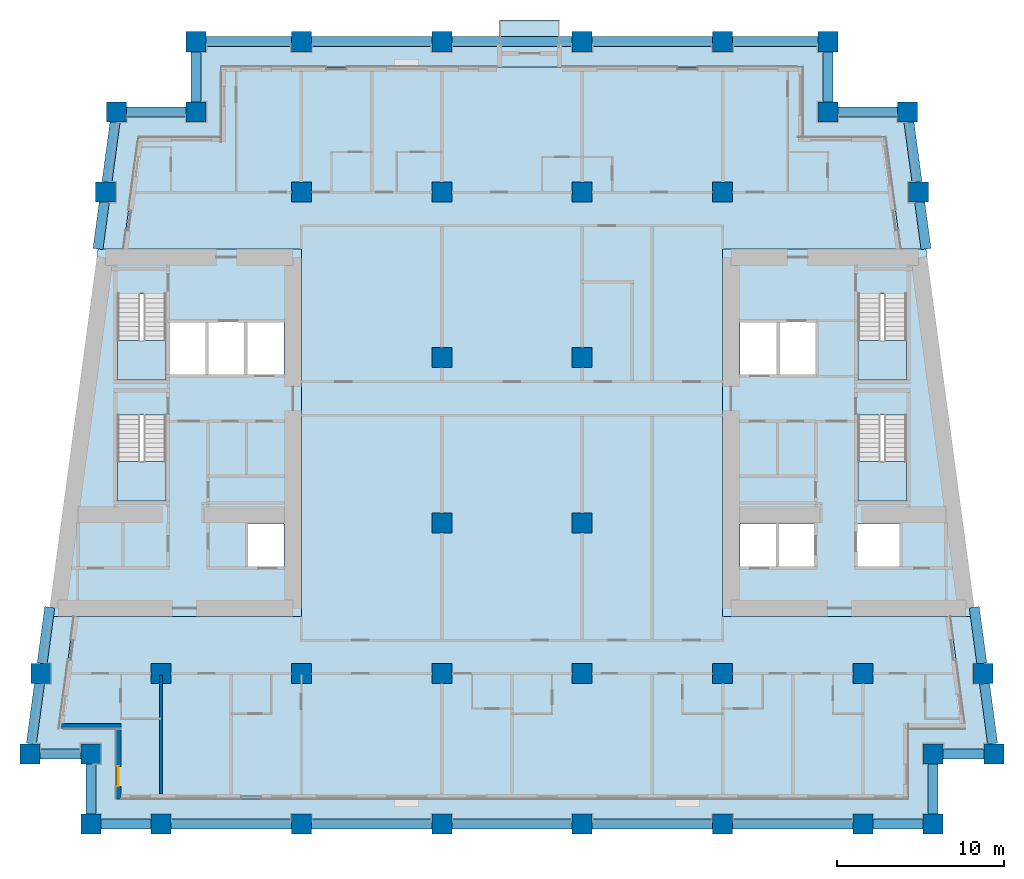
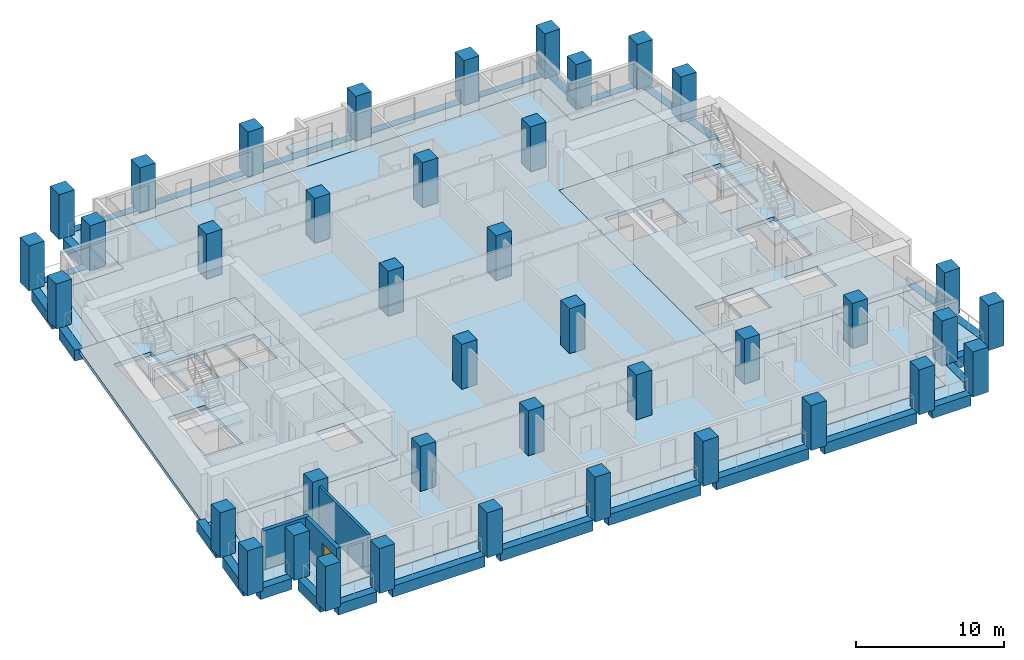
# One storey, part 1 of 13: 40 columns, 28 beams, 10 slabs, 3 walls, 1 door, 1 opening, 4 elements without a shape of their own.
"""IFC4 building model written with IfcOpenShell, lengths in metres."""

from ifc_helpers import new_model, si_unit, direction, frame, frame_2d, origin, origin_2d, place, context, subcontext, project, spatial, polyline, rectangle, outline, extrude, material, layer, layer_set, material_profile, profile_set, type_object, element, fill, aggregate, save


model = new_model("IFC4")

# Units and contexts
model_context = context("Model", 3, precision=1e-05, world=origin(), true_north=direction((0.0, 1.0)))
body_context = subcontext(model_context, "Body", "Model", "MODEL_VIEW")
ifc_project = project(units=[si_unit("LENGTHUNIT", "METRE"), si_unit("AREAUNIT", "SQUARE_METRE"), si_unit("VOLUMEUNIT", "CUBIC_METRE"), si_unit("PLANEANGLEUNIT", "RADIAN"), si_unit("MASSUNIT", "GRAM", prefix="KILO")], contexts=[model_context])

# Site, building, storey
site_placement = place(None, origin())
site = spatial("IfcSite", under=ifc_project, at=site_placement, CompositionType="ELEMENT")
building_placement = place(site_placement, origin())
building = spatial("IfcBuilding", under=site, at=building_placement, Name="Candeia Pilgrim Tower and Theatre", CompositionType="ELEMENT")
storey_placement = place(building_placement, frame((0.0, 0.0, 131.699951171875)))
storey = spatial("IfcBuildingStorey", under=building, at=storey_placement, Name="L31", CompositionType="ELEMENT", Elevation=131.699951171875)

# Columns
ifc_material_1 = material(Name="Concrete C70/85", Category="concrete")
ifc_material_profile_1 = material_profile(ifc_material_1, rectangle(XDim=1.199951171875, YDim=1.199951171875, at=origin_2d()))
ifc_profile_set_1 = profile_set([ifc_material_profile_1], Name="Concrete C70/85")
column_type = type_object("IfcColumnType", Name="RC 1200x1200 C70/85", PredefinedType="COLUMN", material=ifc_profile_set_1)
for number, where, z_axis, x_axis, name in (
    (1, (92.39990234375, 98.0, 0.0), (0.0, 0.0, 1.0), (1.0, 0.0, 0.0), "Column A1"),
    (2, (100.800048828125, 98.0, 0.0), (0.0, 0.0, 1.0), (1.0, 0.0, 0.0), "Column A2"),
    (3, (109.199951171875, 98.0, 0.0), (0.0, 0.0, 1.0), (1.0, 0.0, 0.0), "Column A3"),
    (4, (117.60009765625, 98.0, 0.0), (0.0, 0.0, 1.0), (1.0, 0.0, 0.0), "Column A4"),
    (5, (126.0, 98.0, 0.0), (0.0, 0.0, 1.0), (1.0, 0.0, 0.0), "Column A5"),
    (6, (134.39990234375, 98.0, 0.0), (0.0, 0.0, 1.0), (1.0, 0.0, 0.0), "Column A6"),
    (7, (88.199951171875, 98.0, 0.0), (0.0, 0.0, 1.0), (1.0, 0.0, 0.0), "Column AW"),
    (8, (138.60009765625, 98.0, 0.0), (0.0, 0.0, 1.0), (1.0, 0.0, 0.0), "Column AE"),
    (9, (88.199951171875, 102.199951171875, 0.0), (0.0, 0.0, 1.0), (1.0, 0.0, 0.0), "Column NSW"),
    (10, (138.60009765625, 102.199951171875, 0.0), (0.0, 0.0, 1.0), (1.0, 0.0, 0.0), "Column NSE"),
    (11, (94.5, 140.60009765625, 0.0), (0.0, 0.0, 1.0), (1.0, 0.0, 0.0), "Column NNW"),
    (12, (132.300048828125, 140.60009765625, 0.0), (0.0, 0.0, 1.0), (1.0, 0.0, 0.0), "Column NNE"),
    (13, (84.5654296875, 102.199951171875, 0.0), (0.0, 0.0, 1.0), (1.0, 0.0, 0.0), "Column LSW"),
    (14, (142.234619140625, 102.199951171875, 0.0), (0.0, 0.0, 1.0), (1.0, 0.0, 0.0), "Column LSE"),
    (15, (89.734619140625, 140.60009765625, 0.0), (0.0, 0.0, 1.0), (1.0, 0.0, 0.0), "Column LNW"),
    (16, (137.0654296875, 140.60009765625, 0.0), (0.0, 0.0, 1.0), (1.0, 0.0, 0.0), "Column LNE"),
    (17, (92.39990234375, 107.0, 0.0), (0.0, 0.0, 1.0), (1.0, 0.0, 0.0), "Column B1"),
    (18, (100.800048828125, 107.0, 0.0), (0.0, 0.0, 1.0), (1.0, 0.0, 0.0), "Column B2"),
    (19, (109.199951171875, 107.0, 0.0), (0.0, 0.0, 1.0), (1.0, 0.0, 0.0), "Column B3"),
    (20, (117.60009765625, 107.0, 0.0), (0.0, 0.0, 1.0), (1.0, 0.0, 0.0), "Column B4"),
    (21, (126.0, 107.0, 0.0), (0.0, 0.0, 1.0), (1.0, 0.0, 0.0), "Column B5"),
    (22, (134.39990234375, 107.0, 0.0), (0.0, 0.0, 1.0), (1.0, 0.0, 0.0), "Column B6"),
    (23, (85.21142578125, 107.0, 0.0), (0.0, 0.0, 1.0), (1.0, 0.0, 0.0), "Column BW"),
    (24, (141.58837890625, 107.0, 0.0), (0.0, 0.0, 1.0), (1.0, 0.0, 0.0), "Column BE"),
    (25, (109.199951171875, 116.0, 0.0), (0.0, 0.0, 1.0), (1.0, 0.0, 0.0), "Column C3"),
    (26, (117.60009765625, 116.0, 0.0), (0.0, 0.0, 1.0), (1.0, 0.0, 0.0), "Column C4"),
    (27, (109.199951171875, 125.89990234375, 0.0), (0.0, 0.0, 1.0), (1.0, 0.0, 0.0), "Column D3"),
    (28, (117.60009765625, 125.89990234375, 0.0), (0.0, 0.0, 1.0), (1.0, 0.0, 0.0), "Column D4"),
    (29, (100.800048828125, 135.800048828125, 0.0), (0.0, 0.0, 1.0), (1.0, 0.0, 0.0), "Column E2"),
    (30, (109.199951171875, 135.800048828125, 0.0), (0.0, 0.0, 1.0), (1.0, 0.0, 0.0), "Column E3"),
    (31, (117.60009765625, 135.800048828125, 0.0), (0.0, 0.0, 1.0), (1.0, 0.0, 0.0), "Column E4"),
    (32, (126.0, 135.800048828125, 0.0), (0.0, 0.0, 1.0), (1.0, 0.0, 0.0), "Column E5"),
    (33, (89.08837890625, 135.800048828125, 0.0), (0.0, 0.0, 1.0), (1.0, 0.0, 0.0), "Column EW"),
    (34, (137.71142578125, 135.800048828125, 0.0), (0.0, 0.0, 1.0), (1.0, 0.0, 0.0), "Column EE"),
    (35, (100.800048828125, 144.800048828125, 0.0), (0.0, 0.0, 1.0), (1.0, 0.0, 0.0), "Column F2"),
    (36, (109.199951171875, 144.800048828125, 0.0), (0.0, 0.0, 1.0), (1.0, 0.0, 0.0), "Column F3"),
    (37, (117.60009765625, 144.800048828125, 0.0), (0.0, 0.0, 1.0), (1.0, 0.0, 0.0), "Column F4"),
    (38, (126.0, 144.800048828125, 0.0), (0.0, 0.0, 1.0), (1.0, 0.0, 0.0), "Column F5"),
    (39, (94.5, 144.800048828125, 0.0), (0.0, 0.0, 1.0), (1.0, 0.0, 0.0), "Column FW"),
    (40, (132.300048828125, 144.800048828125, 0.0), (0.0, 0.0, 1.0), (1.0, 0.0, 0.0), "Column FE"),
):
    element("IfcColumn", number, at=place(storey_placement, frame(where, z_axis=z_axis, x_axis=x_axis)), inside=storey, type_object=column_type, Name=name, PredefinedType="COLUMN", context=body_context, shape_type="SweptSolid", body=[
        extrude(rectangle(XDim=1.199951171875, YDim=1.199951171875, at=origin_2d()), origin(), (0.0, 0.0, 1.0), 3.699951171875),
    ])

# Beams
ifc_material_profile_2 = material_profile(ifc_material_1, rectangle(XDim=0.60009765625, YDim=0.89990234375, at=origin_2d()))
ifc_profile_set_2 = profile_set([ifc_material_profile_2], Name="Concrete C70/85")
beam_type = type_object("IfcBeamType", Name="RC 600x900 C70/85", PredefinedType="BEAM", material=ifc_profile_set_2)
beam_1_placement = place(storey_placement, frame((88.800048828125, 98.0, -0.449951171875), z_axis=(1.0, 0.0, 0.0), x_axis=(0.0, 1.0, 0.0)))
element("IfcBeam", 41, at=beam_1_placement, inside=storey, type_object=beam_type, Name="Spandrel beam L31-01", PredefinedType="BEAM", context=body_context, shape_type="SweptSolid", body=[
    extrude(rectangle(XDim=0.60009765625, YDim=0.89990234375, at=origin_2d()), origin(), (0.0, 0.0, 1.0), 3.0),
])
beam_2_placement = place(storey_placement, frame((93.0, 98.0, -0.449951171875), z_axis=(1.0, 0.0, 0.0), x_axis=(0.0, 1.0, 0.0)))
element("IfcBeam", 42, at=beam_2_placement, inside=storey, type_object=beam_type, Name="Spandrel beam L31-02", PredefinedType="BEAM", context=body_context, shape_type="SweptSolid", body=[
    extrude(rectangle(XDim=0.60009765625, YDim=0.89990234375, at=origin_2d()), origin(), (0.0, 0.0, 1.0), 7.199951171875),
])
beam_3_placement = place(storey_placement, frame((101.39990234375, 98.0, -0.449951171875), z_axis=(1.0, 0.0, 0.0), x_axis=(0.0, 1.0, 0.0)))
element("IfcBeam", 43, at=beam_3_placement, inside=storey, type_object=beam_type, Name="Spandrel beam L31-03", PredefinedType="BEAM", context=body_context, shape_type="SweptSolid", body=[
    extrude(rectangle(XDim=0.60009765625, YDim=0.89990234375, at=origin_2d()), origin(), (0.0, 0.0, 1.0), 7.2001953125),
])
for number, where, z_axis, x_axis, name in (
    (44, (109.800048828125, 98.0, -0.449951171875), (1.0, 0.0, 0.0), (0.0, 1.0, 0.0), "Spandrel beam L31-04"),
    (45, (118.199951171875, 98.0, -0.449951171875), (1.0, 0.0, 0.0), (0.0, 1.0, 0.0), "Spandrel beam L31-05"),
    (46, (126.60009765625, 98.0, -0.449951171875), (1.0, 0.0, 0.0), (0.0, 1.0, 0.0), "Spandrel beam L31-06"),
):
    element("IfcBeam", number, at=place(storey_placement, frame(where, z_axis=z_axis, x_axis=x_axis)), inside=storey, type_object=beam_type, Name=name, PredefinedType="BEAM", context=body_context, shape_type="SweptSolid", body=[
        extrude(rectangle(XDim=0.60009765625, YDim=0.89990234375, at=origin_2d()), origin(), (0.0, 0.0, 1.0), 7.199951171875),
    ])
for number, where, z_axis, x_axis, name in (
    (47, (135.0, 98.0, -0.449951171875), (1.0, 0.0, 0.0), (0.0, 1.0, 0.0), "Spandrel beam L31-07"),
    (48, (138.60009765625, 98.60009765625, -0.449951171875), (0.0, 1.0, 0.0), (-1.0, 0.0, 0.0), "Spandrel beam L31-08"),
):
    element("IfcBeam", number, at=place(storey_placement, frame(where, z_axis=z_axis, x_axis=x_axis)), inside=storey, type_object=beam_type, Name=name, PredefinedType="BEAM", context=body_context, shape_type="SweptSolid", body=[
        extrude(rectangle(XDim=0.60009765625, YDim=0.89990234375, at=origin_2d()), origin(), (0.0, 0.0, 1.0), 3.0),
    ])
beam_4_placement = place(storey_placement, frame((139.199951171875, 102.199951171875, -0.449951171875), z_axis=(1.0, 0.0, 0.0), x_axis=(0.0, 1.0, 0.0)))
element("IfcBeam", 49, at=beam_4_placement, inside=storey, type_object=beam_type, Name="Spandrel beam L31-09", PredefinedType="BEAM", context=body_context, shape_type="SweptSolid", body=[
    extrude(rectangle(XDim=0.60009765625, YDim=0.89990234375, at=origin_2d()), origin(), (0.0, 0.0, 1.0), 2.4345703125),
])
beam_5_placement = place(storey_placement, frame((142.15380859375, 102.800048828125, -0.449951171875), z_axis=(-0.133418359924, 0.991059807093, 0.0), x_axis=(-0.991059807093, -0.133418359924, 0.0)))
element("IfcBeam", 50, at=beam_5_placement, inside=storey, type_object=beam_type, Name="Spandrel beam L31-10", PredefinedType="BEAM", context=body_context, shape_type="SweptSolid", body=[
    extrude(rectangle(XDim=0.60009765625, YDim=0.89990234375, at=origin_2d()), origin(), (0.0, 0.0, 1.0), 3.63232421875),
])
beam_6_placement = place(storey_placement, frame((141.5078125, 107.60009765625, -0.449951171875), z_axis=(-0.133458165992, 0.99105444751, 0.0), x_axis=(-0.99105444751, -0.133458165992, 0.0)))
element("IfcBeam", 51, at=beam_6_placement, inside=storey, type_object=beam_type, Name="Spandrel beam L31-11", PredefinedType="BEAM", context=body_context, shape_type="SweptSolid", body=[
    extrude(rectangle(XDim=0.60009765625, YDim=0.89990234375, at=origin_2d()), origin(), (0.0, 0.0, 1.0), 3.39697265625),
])
beam_7_placement = place(storey_placement, frame((138.169189453125, 132.39990234375, -0.449951171875), z_axis=(-0.133420173099, 0.991059562998, 0.0), x_axis=(-0.991059562998, -0.133420173099, 0.0)))
element("IfcBeam", 52, at=beam_7_placement, inside=storey, type_object=beam_type, Name="Spandrel beam L31-12", PredefinedType="BEAM", context=body_context, shape_type="SweptSolid", body=[
    extrude(rectangle(XDim=0.60009765625, YDim=0.89990234375, at=origin_2d()), origin(), (0.0, 0.0, 1.0), 2.8251953125),
])
beam_8_placement = place(storey_placement, frame((137.630859375, 136.39990234375, -0.449951171875), z_axis=(-0.133409473196, 0.991061003401, 0.0), x_axis=(-0.991061003401, -0.133409473196, 0.0)))
element("IfcBeam", 53, at=beam_8_placement, inside=storey, type_object=beam_type, Name="Spandrel beam L31-13", PredefinedType="BEAM", context=body_context, shape_type="SweptSolid", body=[
    extrude(rectangle(XDim=0.60009765625, YDim=0.89990234375, at=origin_2d()), origin(), (0.0, 0.0, 1.0), 3.632568359375),
])
beam_9_placement = place(storey_placement, frame((136.46533203125, 140.60009765625, -0.449951171875), z_axis=(-1.0, 0.0, 0.0), x_axis=(0.0, -1.0, 0.0)))
element("IfcBeam", 54, at=beam_9_placement, inside=storey, type_object=beam_type, Name="Spandrel beam L31-14", PredefinedType="BEAM", context=body_context, shape_type="SweptSolid", body=[
    extrude(rectangle(XDim=0.60009765625, YDim=0.89990234375, at=origin_2d()), origin(), (0.0, 0.0, 1.0), 3.5654296875),
])
beam_10_placement = place(storey_placement, frame((132.300048828125, 141.199951171875, -0.449951171875), z_axis=(0.0, 1.0, 0.0), x_axis=(-1.0, 0.0, 0.0)))
element("IfcBeam", 55, at=beam_10_placement, inside=storey, type_object=beam_type, Name="Spandrel beam L31-15", PredefinedType="BEAM", context=body_context, shape_type="SweptSolid", body=[
    extrude(rectangle(XDim=0.60009765625, YDim=0.89990234375, at=origin_2d()), origin(), (0.0, 0.0, 1.0), 3.0),
])
beam_11_placement = place(storey_placement, frame((131.699951171875, 144.800048828125, -0.449951171875), z_axis=(-1.0, 0.0, 0.0), x_axis=(0.0, -1.0, 0.0)))
element("IfcBeam", 56, at=beam_11_placement, inside=storey, type_object=beam_type, Name="Spandrel beam L31-16", PredefinedType="BEAM", context=body_context, shape_type="SweptSolid", body=[
    extrude(rectangle(XDim=0.60009765625, YDim=0.89990234375, at=origin_2d()), origin(), (0.0, 0.0, 1.0), 5.099853515625),
])
for number, where, z_axis, x_axis, name in (
    (57, (125.39990234375, 144.800048828125, -0.449951171875), (-1.0, 0.0, 0.0), (0.0, -1.0, 0.0), "Spandrel beam L31-17"),
    (58, (117.0, 144.800048828125, -0.449951171875), (-1.0, 0.0, 0.0), (0.0, -1.0, 0.0), "Spandrel beam L31-18"),
):
    element("IfcBeam", number, at=place(storey_placement, frame(where, z_axis=z_axis, x_axis=x_axis)), inside=storey, type_object=beam_type, Name=name, PredefinedType="BEAM", context=body_context, shape_type="SweptSolid", body=[
        extrude(rectangle(XDim=0.60009765625, YDim=0.89990234375, at=origin_2d()), origin(), (0.0, 0.0, 1.0), 7.199951171875),
    ])
beam_12_placement = place(storey_placement, frame((108.60009765625, 144.800048828125, -0.449951171875), z_axis=(-1.0, 0.0, 0.0), x_axis=(0.0, -1.0, 0.0)))
element("IfcBeam", 59, at=beam_12_placement, inside=storey, type_object=beam_type, Name="Spandrel beam L31-19", PredefinedType="BEAM", context=body_context, shape_type="SweptSolid", body=[
    extrude(rectangle(XDim=0.60009765625, YDim=0.89990234375, at=origin_2d()), origin(), (0.0, 0.0, 1.0), 7.2001953125),
])
beam_13_placement = place(storey_placement, frame((100.199951171875, 144.800048828125, -0.449951171875), z_axis=(-1.0, 0.0, 0.0), x_axis=(0.0, -1.0, 0.0)))
element("IfcBeam", 60, at=beam_13_placement, inside=storey, type_object=beam_type, Name="Spandrel beam L31-20", PredefinedType="BEAM", context=body_context, shape_type="SweptSolid", body=[
    extrude(rectangle(XDim=0.60009765625, YDim=0.89990234375, at=origin_2d()), origin(), (0.0, 0.0, 1.0), 5.099853515625),
])
beam_14_placement = place(storey_placement, frame((94.5, 144.199951171875, -0.449951171875), z_axis=(0.0, -1.0, 0.0), x_axis=(1.0, 0.0, 0.0)))
element("IfcBeam", 61, at=beam_14_placement, inside=storey, type_object=beam_type, Name="Spandrel beam L31-21", PredefinedType="BEAM", context=body_context, shape_type="SweptSolid", body=[
    extrude(rectangle(XDim=0.60009765625, YDim=0.89990234375, at=origin_2d()), origin(), (0.0, 0.0, 1.0), 3.0),
])
beam_15_placement = place(storey_placement, frame((93.89990234375, 140.60009765625, -0.449951171875), z_axis=(-1.0, 0.0, 0.0), x_axis=(0.0, -1.0, 0.0)))
element("IfcBeam", 62, at=beam_15_placement, inside=storey, type_object=beam_type, Name="Spandrel beam L31-22", PredefinedType="BEAM", context=body_context, shape_type="SweptSolid", body=[
    extrude(rectangle(XDim=0.60009765625, YDim=0.89990234375, at=origin_2d()), origin(), (0.0, 0.0, 1.0), 3.565185546875),
])
beam_16_placement = place(storey_placement, frame((89.65380859375, 140.0, -0.449951171875), z_axis=(-0.133409473196, -0.991061003401, 0.0), x_axis=(0.991061003401, -0.133409473196, 0.0)))
element("IfcBeam", 63, at=beam_16_placement, inside=storey, type_object=beam_type, Name="Spandrel beam L31-23", PredefinedType="BEAM", context=body_context, shape_type="SweptSolid", body=[
    extrude(rectangle(XDim=0.60009765625, YDim=0.89990234375, at=origin_2d()), origin(), (0.0, 0.0, 1.0), 3.632568359375),
])
beam_17_placement = place(storey_placement, frame((89.0078125, 135.199951171875, -0.449951171875), z_axis=(-0.133420173099, -0.991059562998, 0.0), x_axis=(0.991059562998, -0.133420173099, 0.0)))
element("IfcBeam", 64, at=beam_17_placement, inside=storey, type_object=beam_type, Name="Spandrel beam L31-24", PredefinedType="BEAM", context=body_context, shape_type="SweptSolid", body=[
    extrude(rectangle(XDim=0.60009765625, YDim=0.89990234375, at=origin_2d()), origin(), (0.0, 0.0, 1.0), 2.8251953125),
])
beam_18_placement = place(storey_placement, frame((85.74560546875, 110.966796875, -0.449951171875), z_axis=(-0.133458165992, -0.99105444751, 0.0), x_axis=(0.99105444751, -0.133458165992, 0.0)))
element("IfcBeam", 65, at=beam_18_placement, inside=storey, type_object=beam_type, Name="Spandrel beam L31-25", PredefinedType="BEAM", context=body_context, shape_type="SweptSolid", body=[
    extrude(rectangle(XDim=0.60009765625, YDim=0.89990234375, at=origin_2d()), origin(), (0.0, 0.0, 1.0), 3.39697265625),
])
beam_19_placement = place(storey_placement, frame((85.130859375, 106.39990234375, -0.449951171875), z_axis=(-0.133418359924, -0.991059807093, 0.0), x_axis=(0.991059807093, -0.133418359924, 0.0)))
element("IfcBeam", 66, at=beam_19_placement, inside=storey, type_object=beam_type, Name="Spandrel beam L31-26", PredefinedType="BEAM", context=body_context, shape_type="SweptSolid", body=[
    extrude(rectangle(XDim=0.60009765625, YDim=0.89990234375, at=origin_2d()), origin(), (0.0, 0.0, 1.0), 3.63232421875),
])
beam_20_placement = place(storey_placement, frame((85.165283203125, 102.199951171875, -0.449951171875), z_axis=(1.0, 0.0, 0.0), x_axis=(0.0, 1.0, 0.0)))
element("IfcBeam", 67, at=beam_20_placement, inside=storey, type_object=beam_type, Name="Spandrel beam L31-27", PredefinedType="BEAM", context=body_context, shape_type="SweptSolid", body=[
    extrude(rectangle(XDim=0.60009765625, YDim=0.89990234375, at=origin_2d()), origin(), (0.0, 0.0, 1.0), 2.434814453125),
])
beam_21_placement = place(storey_placement, frame((88.199951171875, 101.60009765625, -0.449951171875), z_axis=(0.0, -1.0, 0.0), x_axis=(1.0, 0.0, 0.0)))
element("IfcBeam", 68, at=beam_21_placement, inside=storey, type_object=beam_type, Name="Spandrel beam L31-28", PredefinedType="BEAM", context=body_context, shape_type="SweptSolid", body=[
    extrude(rectangle(XDim=0.60009765625, YDim=0.89990234375, at=origin_2d()), origin(), (0.0, 0.0, 1.0), 3.0),
])

# Slabs
ifc_material_2 = material(Name="Concrete C40/50", Category="concrete")
ifc_layer_1 = layer(ifc_material_2, 0.25)
ifc_layer_set_1 = layer_set([ifc_layer_1], Name="BK1 balcony slab 250")
slab_type_1 = type_object("IfcSlabType", Name="BK1 balcony slab 250", PredefinedType="USERDEFINED", material=ifc_layer_set_1)
slab_1_placement = place(storey_placement, frame((0.0, 0.0, -0.25)))
element("IfcSlab", 69, at=slab_1_placement, inside=storey, type_object=slab_type_1, Name="Balcony L31", ObjectType="BALCONY", PredefinedType="USERDEFINED", context=body_context, shape_type="SweptSolid", body=[
    extrude(outline(polyline([(112.64990234375, 144.5), (116.25, 144.5), (116.25, 146.10009765625), (112.64990234375, 146.10009765625), (112.64990234375, 144.5)])), origin(), (0.0, 0.0, 1.0), 0.25),
])
ifc_material_3 = material(Name="Concrete C60/75", Category="concrete")
ifc_layer_2 = layer(ifc_material_3, 0.320068359375)
ifc_layer_set_2 = layer_set([ifc_layer_2], Name="FS-CORE 320 core floor")
slab_type_2 = type_object("IfcSlabType", Name="FS-CORE 320 core floor", PredefinedType="FLOOR", material=ifc_layer_set_2)
slab_2_placement = place(storey_placement, frame((0.0, 0.0, -0.320068359375)))
element("IfcSlab", 70, at=slab_2_placement, inside=storey, type_object=slab_type_2, Name="Core floor W L31", PredefinedType="FLOOR", context=body_context, shape_type="SweptSolid", body=[
    extrude(outline(polyline([(100.800048828125, 132.39990234375), (100.800048828125, 110.39990234375), (85.669189453125, 110.39990234375), (88.630859375, 132.39990234375), (100.800048828125, 132.39990234375)]), holes=[polyline([(97.525634765625, 128.050048828125), (97.525634765625, 124.85009765625), (99.75, 124.85009765625), (99.75, 128.050048828125), (97.525634765625, 128.050048828125)]), polyline([(97.5634765625, 113.35009765625), (99.75, 113.35009765625), (99.75, 115.949951171875), (97.5634765625, 115.949951171875), (97.5634765625, 113.35009765625)]), polyline([(95.201416015625, 124.85009765625), (97.42578125, 124.85009765625), (97.42578125, 128.050048828125), (95.201416015625, 128.050048828125), (95.201416015625, 124.85009765625)]), polyline([(92.876953125, 128.050048828125), (92.876953125, 124.85009765625), (95.101318359375, 124.85009765625), (95.101318359375, 128.050048828125), (92.876953125, 128.050048828125)]), polyline([(89.802001953125, 122.455078125), (89.802001953125, 117.324951171875), (92.701904296875, 117.324951171875), (92.701904296875, 122.455078125), (89.802001953125, 122.455078125)]), polyline([(89.802001953125, 129.705078125), (89.802001953125, 124.574951171875), (92.701904296875, 124.574951171875), (92.701904296875, 129.705078125), (89.802001953125, 129.705078125)])]), origin(), (0.0, 0.0, 1.0), 0.320068359375),
])
slab_3_placement = place(storey_placement, frame((0.0, 0.0, -0.320068359375)))
element("IfcSlab", 71, at=slab_3_placement, inside=storey, type_object=slab_type_2, Name="Core floor E L31", PredefinedType="FLOOR", context=body_context, shape_type="SweptSolid", body=[
    extrude(outline(polyline([(138.169189453125, 132.39990234375), (141.130859375, 110.39990234375), (126.0, 110.39990234375), (126.0, 132.39990234375), (138.169189453125, 132.39990234375)]), holes=[polyline([(134.097900390625, 122.455078125), (134.097900390625, 117.324951171875), (136.998046875, 117.324951171875), (136.998046875, 122.455078125), (134.097900390625, 122.455078125)]), polyline([(134.097900390625, 129.705078125), (134.097900390625, 124.574951171875), (136.998046875, 124.574951171875), (136.998046875, 129.705078125), (134.097900390625, 129.705078125)]), polyline([(136.6220703125, 115.949951171875), (134.02294921875, 115.949951171875), (134.02294921875, 113.35009765625), (136.6220703125, 113.35009765625), (136.6220703125, 115.949951171875)]), polyline([(131.5986328125, 128.050048828125), (129.374267578125, 128.050048828125), (129.374267578125, 124.85009765625), (131.5986328125, 124.85009765625), (131.5986328125, 128.050048828125)]), polyline([(131.52294921875, 115.949951171875), (129.33642578125, 115.949951171875), (129.33642578125, 113.35009765625), (131.52294921875, 113.35009765625), (131.52294921875, 115.949951171875)]), polyline([(129.2744140625, 128.050048828125), (127.050048828125, 128.050048828125), (127.050048828125, 124.85009765625), (129.2744140625, 124.85009765625), (129.2744140625, 128.050048828125)]), polyline([(127.050048828125, 115.949951171875), (127.050048828125, 113.35009765625), (129.236572265625, 113.35009765625), (129.236572265625, 115.949951171875), (127.050048828125, 115.949951171875)])]), origin(), (0.0, 0.0, 1.0), 0.320068359375),
])
ifc_material_4 = material(Name="Concrete C50/60", Category="concrete")
ifc_layer_3 = layer(ifc_material_4, 0.320068359375)
ifc_layer_set_3 = layer_set([ifc_layer_3], Name="Floor slab 320 C50/60")
slab_type_3 = type_object("IfcSlabType", Name="Floor slab 320 C50/60", PredefinedType="FLOOR", material=ifc_layer_set_3)
slab_4_placement = place(storey_placement, frame((0.0, 0.0, -0.320068359375)))
element("IfcSlab", 72, at=slab_4_placement, inside=storey, type_object=slab_type_3, Name="Floor slab L31", PredefinedType="FLOOR", context=body_context, shape_type="SweptSolid", body=[
    extrude(outline(polyline([(96.0, 139.10009765625), (96.0, 143.300048828125), (130.800048828125, 143.300048828125), (130.800048828125, 139.10009765625), (135.753662109375, 139.10009765625), (136.65576171875, 132.39990234375), (126.0, 132.39990234375), (126.0, 110.39990234375), (139.6171875, 110.39990234375), (140.51904296875, 103.699951171875), (137.10009765625, 103.699951171875), (137.10009765625, 99.5), (89.699951171875, 99.5), (89.699951171875, 103.699951171875), (86.28076171875, 103.699951171875), (87.182861328125, 110.39990234375), (100.800048828125, 110.39990234375), (100.800048828125, 132.39990234375), (90.144287109375, 132.39990234375), (91.046142578125, 139.10009765625), (96.0, 139.10009765625)])), origin(), (0.0, 0.0, 1.0), 0.320068359375),
])
ifc_layer_4 = layer(ifc_material_2, 0.25)
ifc_layer_set_4 = layer_set([ifc_layer_4], Name="Loggia slab 250 C40/50")
slab_type_4 = type_object("IfcSlabType", Name="Loggia slab 250 C40/50", PredefinedType="FLOOR", material=ifc_layer_set_4)
slab_5_placement = place(storey_placement, frame((0.0, 0.0, -0.25)))
element("IfcSlab", 73, at=slab_5_placement, inside=storey, type_object=slab_type_4, Name="Loggia slab L31 1", PredefinedType="FLOOR", context=body_context, shape_type="SweptSolid", body=[
    extrude(outline(polyline([(87.182861328125, 110.39990234375), (86.28076171875, 103.699951171875), (89.699951171875, 103.699951171875), (89.699951171875, 99.5), (137.10009765625, 99.5), (137.10009765625, 103.699951171875), (140.51904296875, 103.699951171875), (139.6171875, 110.39990234375), (140.828125, 110.39990234375), (141.8916015625, 102.5), (138.300048828125, 102.5), (138.300048828125, 98.300048828125), (88.5, 98.300048828125), (88.5, 102.5), (84.908447265625, 102.5), (85.971923828125, 110.39990234375), (87.182861328125, 110.39990234375)])), origin(), (0.0, 0.0, 1.0), 0.25),
])
slab_6_placement = place(storey_placement, frame((0.0, 0.0, -0.25)))
element("IfcSlab", 74, at=slab_6_placement, inside=storey, type_object=slab_type_4, Name="Loggia slab L31 2", PredefinedType="FLOOR", context=body_context, shape_type="SweptSolid", body=[
    extrude(outline(polyline([(136.65576171875, 132.39990234375), (135.753662109375, 139.10009765625), (130.800048828125, 139.10009765625), (130.800048828125, 143.300048828125), (96.0, 143.300048828125), (96.0, 139.10009765625), (91.046142578125, 139.10009765625), (90.144287109375, 132.39990234375), (88.93359375, 132.39990234375), (89.996826171875, 140.300048828125), (94.800048828125, 140.300048828125), (94.800048828125, 144.5), (132.0, 144.5), (132.0, 140.300048828125), (136.802978515625, 140.300048828125), (137.866455078125, 132.39990234375), (136.65576171875, 132.39990234375)])), origin(), (0.0, 0.0, 1.0), 0.25),
])

# Stair, slab
stair_type = type_object("IfcStairType", Name="ST-TWR dog-leg escape stair", PredefinedType="HALF_TURN_STAIR", material=ifc_material_2)
stair_1_placement = place(storey_placement, origin())
stair_1 = element("IfcStair", 75, at=stair_1_placement, inside=storey, type_object=stair_type, Name="L31 Escape stair ST1", PredefinedType="HALF_TURN_STAIR")
ifc_layer_5 = layer(ifc_material_2, 0.199951171875)
ifc_layer_set_5 = layer_set([ifc_layer_5], Name="SL-LANDING stair landing")
slab_type_5 = type_object("IfcSlabType", Name="SL-LANDING stair landing", PredefinedType="LANDING", material=ifc_layer_set_5)
slab_7_placement = place(storey_placement, frame((0.0, 0.0, 1.650146484375)))
slab_7 = element("IfcSlab", 76, at=slab_7_placement, type_object=slab_type_5, Name="ST1 landing 1", PredefinedType="LANDING", context=body_context, shape_type="SweptSolid", body=[
    extrude(outline(polyline([(89.802001953125, 119.675048828125), (89.802001953125, 117.324951171875), (92.701904296875, 117.324951171875), (92.701904296875, 119.675048828125), (89.802001953125, 119.675048828125)])), origin(), (0.0, 0.0, 1.0), 0.199951171875),
])
aggregate(stair_1, [slab_7])

stair_2_placement = place(storey_placement, origin())
stair_2 = element("IfcStair", 77, at=stair_2_placement, inside=storey, type_object=stair_type, Name="L31 Escape stair ST2", PredefinedType="HALF_TURN_STAIR")
slab_8_placement = place(storey_placement, frame((0.0, 0.0, 1.650146484375)))
slab_8 = element("IfcSlab", 78, at=slab_8_placement, type_object=slab_type_5, Name="ST2 landing 1", PredefinedType="LANDING", context=body_context, shape_type="SweptSolid", body=[
    extrude(outline(polyline([(89.802001953125, 126.925048828125), (89.802001953125, 124.574951171875), (92.701904296875, 124.574951171875), (92.701904296875, 126.925048828125), (89.802001953125, 126.925048828125)])), origin(), (0.0, 0.0, 1.0), 0.199951171875),
])
aggregate(stair_2, [slab_8])

stair_3_placement = place(storey_placement, origin())
stair_3 = element("IfcStair", 79, at=stair_3_placement, inside=storey, type_object=stair_type, Name="L31 Escape stair ST3", PredefinedType="HALF_TURN_STAIR")
slab_9_placement = place(storey_placement, frame((0.0, 0.0, 1.650146484375)))
slab_9 = element("IfcSlab", 80, at=slab_9_placement, type_object=slab_type_5, Name="ST3 landing 1", PredefinedType="LANDING", context=body_context, shape_type="SweptSolid", body=[
    extrude(outline(polyline([(134.097900390625, 119.675048828125), (134.097900390625, 117.324951171875), (136.998046875, 117.324951171875), (136.998046875, 119.675048828125), (134.097900390625, 119.675048828125)])), origin(), (0.0, 0.0, 1.0), 0.199951171875),
])
aggregate(stair_3, [slab_9])

stair_4_placement = place(storey_placement, origin())
stair_4 = element("IfcStair", 81, at=stair_4_placement, inside=storey, type_object=stair_type, Name="L31 Escape stair ST4", PredefinedType="HALF_TURN_STAIR")
slab_10_placement = place(storey_placement, frame((0.0, 0.0, 1.650146484375)))
slab_10 = element("IfcSlab", 82, at=slab_10_placement, type_object=slab_type_5, Name="ST4 landing 1", PredefinedType="LANDING", context=body_context, shape_type="SweptSolid", body=[
    extrude(outline(polyline([(134.097900390625, 126.925048828125), (134.097900390625, 124.574951171875), (136.998046875, 124.574951171875), (136.998046875, 126.925048828125), (134.097900390625, 126.925048828125)])), origin(), (0.0, 0.0, 1.0), 0.199951171875),
])
aggregate(stair_4, [slab_10])

# Wall
ifc_material_5 = material(Name="Ceramic block masonry", Category="masonry")
ifc_layer_6 = layer(ifc_material_5, 0.300048828125)
ifc_layer_set_6 = layer_set([ifc_layer_6], Name="EW1 glazing-line wall 300")
wall_type_1 = type_object("IfcWallType", Name="EW1 glazing-line wall 300", PredefinedType="SOLIDWALL", material=ifc_layer_set_6)
wall_1_placement = place(storey_placement, frame((86.452392578125, 103.85009765625, 0.0), z_axis=(0.0, 0.0, 1.0), x_axis=(1.0, 0.0, 0.0)))
element("IfcWall", 83, at=wall_1_placement, inside=storey, type_object=wall_type_1, Name="External wall L31-10.0", PredefinedType="SOLIDWALL", context=body_context, shape_type="SweptSolid", body=[
    extrude(rectangle(XDim=3.547607421875, YDim=0.300048828125, at=frame_2d((1.77392578125, 0.0))), origin(), (0.0, 0.0, 1.0), 3.199951171875),
])

# Wall, opening, door
wall_2_placement = place(storey_placement, frame((89.85009765625, 103.85009765625, 0.0), z_axis=(0.0, 0.0, 1.0), x_axis=(0.0, -1.0, 0.0)))
wall_2 = element("IfcWall", 84, at=wall_2_placement, inside=storey, type_object=wall_type_1, Name="External wall L31-11.0", PredefinedType="SOLIDWALL", context=body_context, shape_type="SweptSolid", body=[
    extrude(rectangle(XDim=4.35009765625, YDim=0.300048828125, at=frame_2d((2.175048828125, 0.0))), origin(), (0.0, 0.0, 1.0), 3.199951171875),
])
opening_placement = place(wall_2_placement, frame((2.39990234375, 0.0, 0.0)))
opening = element("IfcOpeningElement", 85, at=opening_placement, cuts=wall_2, Name="Opening L31-ED318", PredefinedType="OPENING", context=body_context, shape_type="SweptSolid", body=[
    extrude(rectangle(XDim=1.199951171875, YDim=2.39990234375, at=frame_2d((0.60009765625, 1.199951171875))), frame((0.0, 0.16015625, 0.0), z_axis=(0.0, -1.0, 0.0), x_axis=(1.0, 0.0, 0.0)), (0.0, 0.0, 1.0), 0.320068359375),
])
ifc_material_6 = material(Name="Aluminium framed glazed door", Category="aluminium")
door_type = type_object("IfcDoorType", Name="Loggia door 1200x2400", OperationType="DOUBLE_DOOR_SINGLE_SWING", PredefinedType="DOOR", material=ifc_material_6)
door_placement = place(opening_placement, origin())
door = element("IfcDoor", 86, at=door_placement, inside=storey, type_object=door_type, Name="Loggia door L31-ED318", OperationType="DOUBLE_DOOR_SINGLE_SWING", OverallHeight=2.39990234375, OverallWidth=1.199951171875, PredefinedType="DOOR", context=body_context, shape_type="SweptSolid", body=[
    extrude(rectangle(XDim=1.199951171875, YDim=2.39990234375, at=frame_2d((0.60009765625, 1.199951171875))), frame((0.0, 0.02490234375, 0.0), z_axis=(0.0, -1.0, 0.0), x_axis=(1.0, 0.0, 0.0)), (0.0, 0.0, 1.0), 0.050048828125),
])
fill(opening, door)

# Wall
ifc_material_7 = material(Name="Gypsum board partition on steel studs", Category="steel")
ifc_layer_7 = layer(ifc_material_7, 0.199951171875)
ifc_layer_set_7 = layer_set([ifc_layer_7], Name="PW-200 party wall")
wall_type_2 = type_object("IfcWallType", Name="PW-200 party wall", PredefinedType="PARTITIONING", material=ifc_layer_set_7)
wall_3_placement = place(storey_placement, frame((92.39990234375, 99.7900390625, 0.0), z_axis=(0.0, 0.0, 1.0), x_axis=(0.0, 1.0, 0.0)))
element("IfcWall", 87, at=wall_3_placement, inside=storey, type_object=wall_type_2, Name="Party wall L31-055", PredefinedType="PARTITIONING", context=body_context, shape_type="SweptSolid", body=[
    extrude(rectangle(XDim=7.135009765625, YDim=0.199951171875, at=frame_2d((3.5673828125, 0.0))), origin(), (0.0, 0.0, 1.0), 3.199951171875),
])

save(model, "model.ifc")
